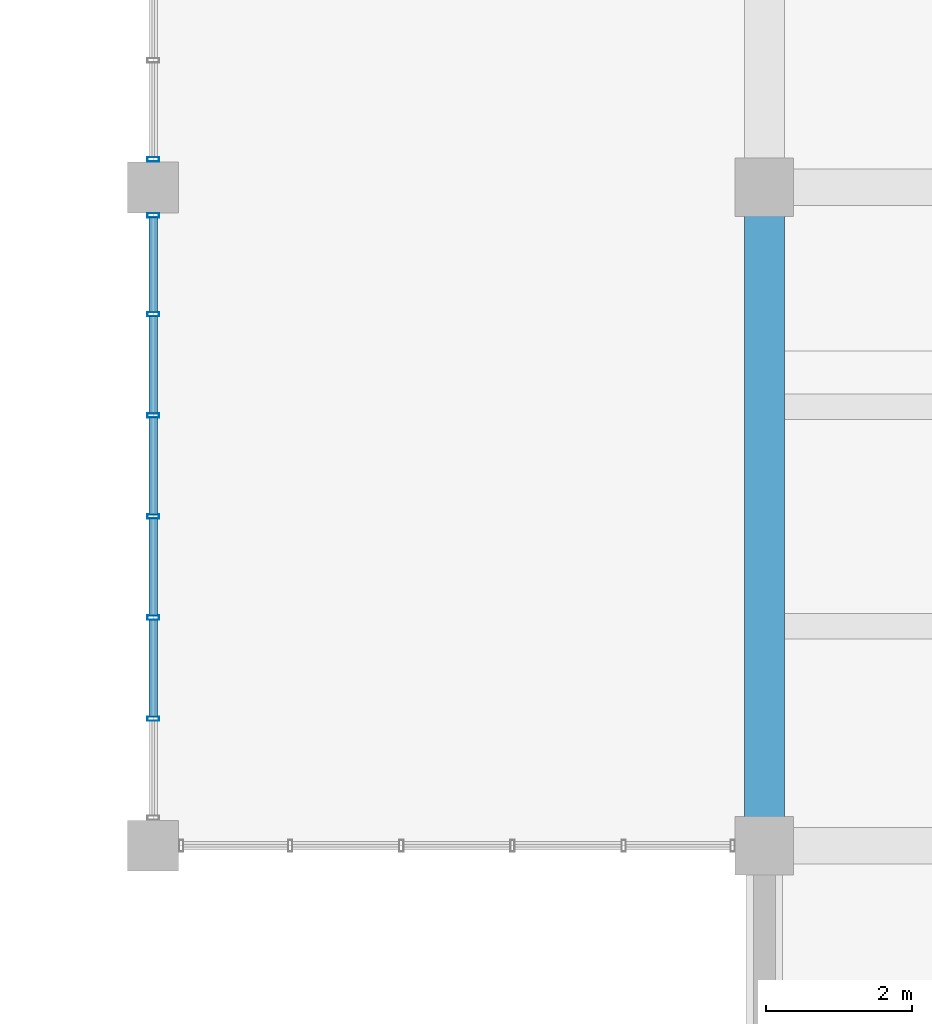
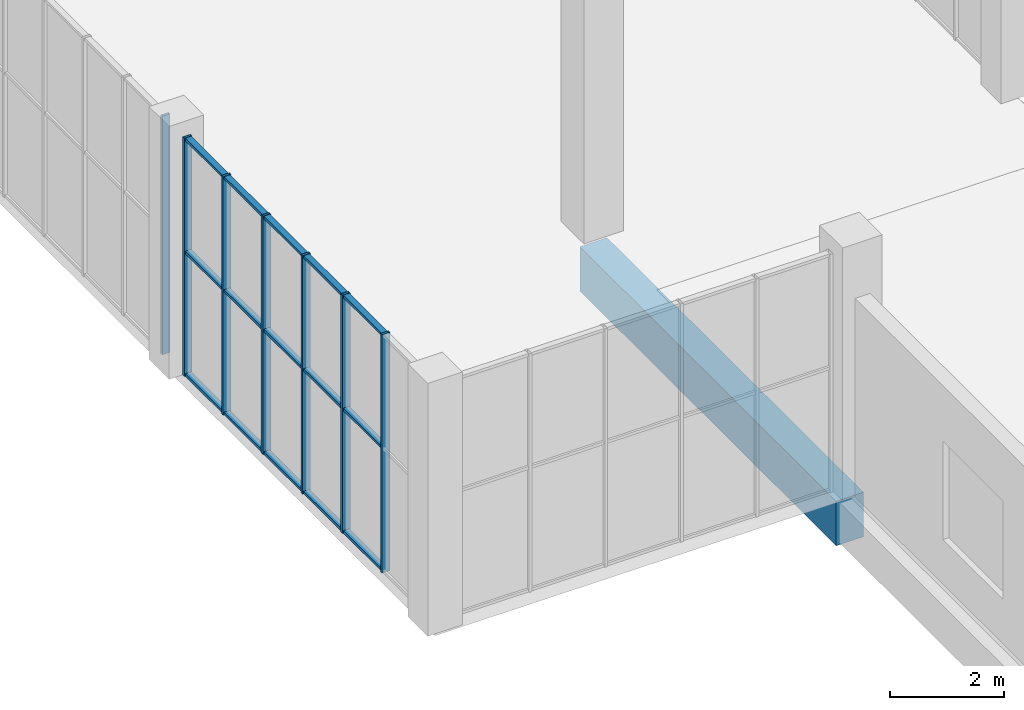
# One storey, part 8 of 91: 22 members, 1 beam, 2 elements without a shape of their own.
"""IFC4 building model written with IfcOpenShell, lengths in metres."""

from ifc_helpers import new_model, si_unit, direction, frame, origin, origin_2d, place, context, subcontext, project, spatial, rectangle, hollow_rectangle, extrude, material, material_profile, profile_set, type_object, element, aggregate, save


model = new_model("IFC4")

# Units and contexts
model_context = context("Model", 3, precision=1e-05, world=origin(), true_north=direction((0.0, 1.0)))
body_context = subcontext(model_context, "Body", "Model", "MODEL_VIEW")
ifc_project = project(units=[si_unit("LENGTHUNIT", "METRE"), si_unit("AREAUNIT", "SQUARE_METRE"), si_unit("VOLUMEUNIT", "CUBIC_METRE"), si_unit("PLANEANGLEUNIT", "RADIAN"), si_unit("MASSUNIT", "GRAM", prefix="KILO")], contexts=[model_context])

# Site, building, storey
site_placement = place(None, origin())
site = spatial("IfcSite", under=ifc_project, at=site_placement, CompositionType="ELEMENT")
building_placement = place(site_placement, origin())
building = spatial("IfcBuilding", under=site, at=building_placement, Name="Khurvash Pelagic Aquarium", CompositionType="ELEMENT")
storey_placement = place(building_placement, origin())
storey = spatial("IfcBuildingStorey", under=building, at=storey_placement, Name="L00", CompositionType="ELEMENT", Elevation=0.0)

# Beam
ifc_material_1 = material(Name="Concrete C40/50", Category="concrete")
ifc_material_profile_1 = material_profile(ifc_material_1, rectangle(XDim=0.550048828125, YDim=0.949951171875, at=origin_2d()), Name="RC550X950")
ifc_profile_set_1 = profile_set([ifc_material_profile_1], Name="Concrete C40/50")
beam_type = type_object("IfcBeamType", Name="BM-02", PredefinedType="BEAM", material=ifc_profile_set_1)
beam_placement = place(storey_placement, frame((25.199951171875, 29.7900390625, -0.794921875), z_axis=(0.0, 1.0, 0.0), x_axis=(-1.0, 0.0, 0.0)))
element("IfcBeam", 1, at=beam_placement, inside=storey, type_object=beam_type, Name="L00 Primary Girder BM-02 00082", PredefinedType="BEAM", context=body_context, shape_type="SweptSolid", body=[
    extrude(rectangle(XDim=0.550048828125, YDim=0.949951171875, at=origin_2d()), origin(), (0.0, 0.0, 1.0), 8.969970703125),
])

# Curtain wall, member
ifc_material_2 = material(Name="Anodised aluminium and low-E laminated glass", Category="aluminium")
curtain_wall_type = type_object("IfcCurtainWallType", Name="CW-05", PredefinedType="USERDEFINED", material=ifc_material_2)
curtain_wall_1_placement = place(storey_placement, origin())
curtain_wall_1 = element("IfcCurtainWall", 2, at=curtain_wall_1_placement, inside=storey, type_object=curtain_wall_type, Name="L00 Facade Unitised Curtain Wall CW-05 0072", ObjectType="UNITISED CURTAIN WALL", PredefinedType="USERDEFINED")
ifc_material_3 = material(Name="Extruded aluminium AW-6063-T6", Category="aluminium")
ifc_material_profile_2 = material_profile(ifc_material_3, hollow_rectangle(XDim=0.06005859375, YDim=0.159912109375, WallThickness=0.00390625, at=origin_2d()), Name="CWM60X160X4")
ifc_profile_set_2 = profile_set([ifc_material_profile_2], Name="Extruded aluminium AW-6063-T6")
member_type_1 = type_object("IfcMemberType", Name="CM-02", PredefinedType="MULLION", material=ifc_profile_set_2)
member_1_placement = place(storey_placement, frame((16.800048828125, 39.18505859375, 0.0), z_axis=(0.0, 0.0, 1.0), x_axis=(0.0, -1.0, 0.0)))
member_1 = element("IfcMember", 3, at=member_1_placement, type_object=member_type_1, Name="CW-05 mullion 7", PredefinedType="MULLION", context=body_context, shape_type="SweptSolid", body=[
    extrude(hollow_rectangle(XDim=0.06005859375, YDim=0.159912109375, WallThickness=0.00390625, at=origin_2d()), origin(), (0.0, 0.0, 1.0), 5.090087890625),
])
aggregate(curtain_wall_1, [member_1])

# Curtain wall, members
curtain_wall_2_placement = place(storey_placement, origin())
curtain_wall_2 = element("IfcCurtainWall", 4, at=curtain_wall_2_placement, inside=storey, type_object=curtain_wall_type, Name="L00 Facade Unitised Curtain Wall CW-05 0073", ObjectType="UNITISED CURTAIN WALL", PredefinedType="USERDEFINED")
member_2_placement = place(storey_placement, frame((16.800048828125, 38.4150390625, 0.0), z_axis=(0.0, 0.0, 1.0), x_axis=(0.0, -1.0, 0.0)))
member_2 = element("IfcMember", 5, at=member_2_placement, type_object=member_type_1, Name="CW-05 mullion 1", PredefinedType="MULLION", context=body_context, shape_type="SweptSolid", body=[
    extrude(hollow_rectangle(XDim=0.06005859375, YDim=0.159912109375, WallThickness=0.00390625, at=origin_2d()), origin(), (0.0, 0.0, 1.0), 5.090087890625),
])
member_3_placement = place(storey_placement, frame((16.800048828125, 37.054931640625, 0.0), z_axis=(0.0, 0.0, 1.0), x_axis=(0.0, -1.0, 0.0)))
member_3 = element("IfcMember", 6, at=member_3_placement, type_object=member_type_1, Name="CW-05 mullion 2", PredefinedType="MULLION", context=body_context, shape_type="SweptSolid", body=[
    extrude(hollow_rectangle(XDim=0.06005859375, YDim=0.159912109375, WallThickness=0.00390625, at=origin_2d()), origin(), (0.0, 0.0, 1.0), 5.090087890625),
])
member_4_placement = place(storey_placement, frame((16.800048828125, 35.6650390625, 0.0), z_axis=(0.0, 0.0, 1.0), x_axis=(0.0, -1.0, 0.0)))
member_4 = element("IfcMember", 7, at=member_4_placement, type_object=member_type_1, Name="CW-05 mullion 3", PredefinedType="MULLION", context=body_context, shape_type="SweptSolid", body=[
    extrude(hollow_rectangle(XDim=0.06005859375, YDim=0.159912109375, WallThickness=0.00390625, at=origin_2d()), origin(), (0.0, 0.0, 1.0), 5.090087890625),
])
member_5_placement = place(storey_placement, frame((16.800048828125, 34.27490234375, 0.0), z_axis=(0.0, 0.0, 1.0), x_axis=(0.0, -1.0, 0.0)))
member_5 = element("IfcMember", 8, at=member_5_placement, type_object=member_type_1, Name="CW-05 mullion 4", PredefinedType="MULLION", context=body_context, shape_type="SweptSolid", body=[
    extrude(hollow_rectangle(XDim=0.06005859375, YDim=0.159912109375, WallThickness=0.00390625, at=origin_2d()), origin(), (0.0, 0.0, 1.0), 5.090087890625),
])
member_6_placement = place(storey_placement, frame((16.800048828125, 32.885009765625, 0.0), z_axis=(0.0, 0.0, 1.0), x_axis=(0.0, -1.0, 0.0)))
member_6 = element("IfcMember", 9, at=member_6_placement, type_object=member_type_1, Name="CW-05 mullion 5", PredefinedType="MULLION", context=body_context, shape_type="SweptSolid", body=[
    extrude(hollow_rectangle(XDim=0.06005859375, YDim=0.159912109375, WallThickness=0.00390625, at=origin_2d()), origin(), (0.0, 0.0, 1.0), 5.090087890625),
])
member_7_placement = place(storey_placement, frame((16.800048828125, 31.4951171875, 0.0), z_axis=(0.0, 0.0, 1.0), x_axis=(0.0, -1.0, 0.0)))
member_7 = element("IfcMember", 10, at=member_7_placement, type_object=member_type_1, Name="CW-05 mullion 6", PredefinedType="MULLION", context=body_context, shape_type="SweptSolid", body=[
    extrude(hollow_rectangle(XDim=0.06005859375, YDim=0.159912109375, WallThickness=0.00390625, at=origin_2d()), origin(), (0.0, 0.0, 1.0), 5.090087890625),
])
ifc_material_profile_3 = material_profile(ifc_material_3, hollow_rectangle(XDim=0.1201171875, YDim=0.06005859375, WallThickness=0.00390625, at=origin_2d()), Name="CWT120X60X4")
ifc_profile_set_3 = profile_set([ifc_material_profile_3], Name="Extruded aluminium AW-6063-T6")
member_type_2 = type_object("IfcMemberType", Name="CT-02", PredefinedType="USERDEFINED", material=ifc_profile_set_3)
member_8_placement = place(storey_placement, frame((16.800048828125, 38.385009765625, 0.030029296875), z_axis=(0.0, -1.0, 0.0), x_axis=(1.0, 0.0, 0.0)))
member_8 = element("IfcMember", 11, at=member_8_placement, type_object=member_type_2, Name="CW-05 transom 1.1", ObjectType="TRANSOM", PredefinedType="USERDEFINED", context=body_context, shape_type="SweptSolid", body=[
    extrude(hollow_rectangle(XDim=0.1201171875, YDim=0.06005859375, WallThickness=0.00390625, at=origin_2d()), origin(), (0.0, 0.0, 1.0), 1.300048828125),
])
member_9_placement = place(storey_placement, frame((16.800048828125, 38.385009765625, 2.64697265625), z_axis=(0.0, -1.0, 0.0), x_axis=(1.0, 0.0, 0.0)))
member_9 = element("IfcMember", 12, at=member_9_placement, type_object=member_type_2, Name="CW-05 transom 1.2", ObjectType="TRANSOM", PredefinedType="USERDEFINED", context=body_context, shape_type="SweptSolid", body=[
    extrude(hollow_rectangle(XDim=0.1201171875, YDim=0.06005859375, WallThickness=0.00390625, at=origin_2d()), origin(), (0.0, 0.0, 1.0), 1.300048828125),
])
member_10_placement = place(storey_placement, frame((16.800048828125, 38.385009765625, 5.06005859375), z_axis=(0.0, -1.0, 0.0), x_axis=(1.0, 0.0, 0.0)))
member_10 = element("IfcMember", 13, at=member_10_placement, type_object=member_type_2, Name="CW-05 transom 1.3", ObjectType="TRANSOM", PredefinedType="USERDEFINED", context=body_context, shape_type="SweptSolid", body=[
    extrude(hollow_rectangle(XDim=0.1201171875, YDim=0.06005859375, WallThickness=0.00390625, at=origin_2d()), origin(), (0.0, 0.0, 1.0), 1.300048828125),
])
member_11_placement = place(storey_placement, frame((16.800048828125, 37.02490234375, 0.030029296875), z_axis=(0.0, -1.0, 0.0), x_axis=(1.0, 0.0, 0.0)))
member_11 = element("IfcMember", 14, at=member_11_placement, type_object=member_type_2, Name="CW-05 transom 2.1", ObjectType="TRANSOM", PredefinedType="USERDEFINED", context=body_context, shape_type="SweptSolid", body=[
    extrude(hollow_rectangle(XDim=0.1201171875, YDim=0.06005859375, WallThickness=0.00390625, at=origin_2d()), origin(), (0.0, 0.0, 1.0), 1.329833984375),
])
member_12_placement = place(storey_placement, frame((16.800048828125, 37.02490234375, 2.64697265625), z_axis=(0.0, -1.0, 0.0), x_axis=(1.0, 0.0, 0.0)))
member_12 = element("IfcMember", 15, at=member_12_placement, type_object=member_type_2, Name="CW-05 transom 2.2", ObjectType="TRANSOM", PredefinedType="USERDEFINED", context=body_context, shape_type="SweptSolid", body=[
    extrude(hollow_rectangle(XDim=0.1201171875, YDim=0.06005859375, WallThickness=0.00390625, at=origin_2d()), origin(), (0.0, 0.0, 1.0), 1.329833984375),
])
member_13_placement = place(storey_placement, frame((16.800048828125, 37.02490234375, 5.06005859375), z_axis=(0.0, -1.0, 0.0), x_axis=(1.0, 0.0, 0.0)))
member_13 = element("IfcMember", 16, at=member_13_placement, type_object=member_type_2, Name="CW-05 transom 2.3", ObjectType="TRANSOM", PredefinedType="USERDEFINED", context=body_context, shape_type="SweptSolid", body=[
    extrude(hollow_rectangle(XDim=0.1201171875, YDim=0.06005859375, WallThickness=0.00390625, at=origin_2d()), origin(), (0.0, 0.0, 1.0), 1.329833984375),
])
member_14_placement = place(storey_placement, frame((16.800048828125, 35.635009765625, 0.030029296875), z_axis=(0.0, -1.0, 0.0), x_axis=(1.0, 0.0, 0.0)))
member_14 = element("IfcMember", 17, at=member_14_placement, type_object=member_type_2, Name="CW-05 transom 3.1", ObjectType="TRANSOM", PredefinedType="USERDEFINED", context=body_context, shape_type="SweptSolid", body=[
    extrude(hollow_rectangle(XDim=0.1201171875, YDim=0.06005859375, WallThickness=0.00390625, at=origin_2d()), origin(), (0.0, 0.0, 1.0), 1.330078125),
])
member_15_placement = place(storey_placement, frame((16.800048828125, 35.635009765625, 2.64697265625), z_axis=(0.0, -1.0, 0.0), x_axis=(1.0, 0.0, 0.0)))
member_15 = element("IfcMember", 18, at=member_15_placement, type_object=member_type_2, Name="CW-05 transom 3.2", ObjectType="TRANSOM", PredefinedType="USERDEFINED", context=body_context, shape_type="SweptSolid", body=[
    extrude(hollow_rectangle(XDim=0.1201171875, YDim=0.06005859375, WallThickness=0.00390625, at=origin_2d()), origin(), (0.0, 0.0, 1.0), 1.330078125),
])
member_16_placement = place(storey_placement, frame((16.800048828125, 35.635009765625, 5.06005859375), z_axis=(0.0, -1.0, 0.0), x_axis=(1.0, 0.0, 0.0)))
member_16 = element("IfcMember", 19, at=member_16_placement, type_object=member_type_2, Name="CW-05 transom 3.3", ObjectType="TRANSOM", PredefinedType="USERDEFINED", context=body_context, shape_type="SweptSolid", body=[
    extrude(hollow_rectangle(XDim=0.1201171875, YDim=0.06005859375, WallThickness=0.00390625, at=origin_2d()), origin(), (0.0, 0.0, 1.0), 1.330078125),
])
member_17_placement = place(storey_placement, frame((16.800048828125, 34.2451171875, 0.030029296875), z_axis=(0.0, -1.0, 0.0), x_axis=(1.0, 0.0, 0.0)))
member_17 = element("IfcMember", 20, at=member_17_placement, type_object=member_type_2, Name="CW-05 transom 4.1", ObjectType="TRANSOM", PredefinedType="USERDEFINED", context=body_context, shape_type="SweptSolid", body=[
    extrude(hollow_rectangle(XDim=0.1201171875, YDim=0.06005859375, WallThickness=0.00390625, at=origin_2d()), origin(), (0.0, 0.0, 1.0), 1.330078125),
])
member_18_placement = place(storey_placement, frame((16.800048828125, 34.2451171875, 2.64697265625), z_axis=(0.0, -1.0, 0.0), x_axis=(1.0, 0.0, 0.0)))
member_18 = element("IfcMember", 21, at=member_18_placement, type_object=member_type_2, Name="CW-05 transom 4.2", ObjectType="TRANSOM", PredefinedType="USERDEFINED", context=body_context, shape_type="SweptSolid", body=[
    extrude(hollow_rectangle(XDim=0.1201171875, YDim=0.06005859375, WallThickness=0.00390625, at=origin_2d()), origin(), (0.0, 0.0, 1.0), 1.330078125),
])
member_19_placement = place(storey_placement, frame((16.800048828125, 34.2451171875, 5.06005859375), z_axis=(0.0, -1.0, 0.0), x_axis=(1.0, 0.0, 0.0)))
member_19 = element("IfcMember", 22, at=member_19_placement, type_object=member_type_2, Name="CW-05 transom 4.3", ObjectType="TRANSOM", PredefinedType="USERDEFINED", context=body_context, shape_type="SweptSolid", body=[
    extrude(hollow_rectangle(XDim=0.1201171875, YDim=0.06005859375, WallThickness=0.00390625, at=origin_2d()), origin(), (0.0, 0.0, 1.0), 1.330078125),
])
member_20_placement = place(storey_placement, frame((16.800048828125, 32.85498046875, 0.030029296875), z_axis=(0.0, -1.0, 0.0), x_axis=(1.0, 0.0, 0.0)))
member_20 = element("IfcMember", 23, at=member_20_placement, type_object=member_type_2, Name="CW-05 transom 5.1", ObjectType="TRANSOM", PredefinedType="USERDEFINED", context=body_context, shape_type="SweptSolid", body=[
    extrude(hollow_rectangle(XDim=0.1201171875, YDim=0.06005859375, WallThickness=0.00390625, at=origin_2d()), origin(), (0.0, 0.0, 1.0), 1.330078125),
])
member_21_placement = place(storey_placement, frame((16.800048828125, 32.85498046875, 2.64697265625), z_axis=(0.0, -1.0, 0.0), x_axis=(1.0, 0.0, 0.0)))
member_21 = element("IfcMember", 24, at=member_21_placement, type_object=member_type_2, Name="CW-05 transom 5.2", ObjectType="TRANSOM", PredefinedType="USERDEFINED", context=body_context, shape_type="SweptSolid", body=[
    extrude(hollow_rectangle(XDim=0.1201171875, YDim=0.06005859375, WallThickness=0.00390625, at=origin_2d()), origin(), (0.0, 0.0, 1.0), 1.330078125),
])
member_22_placement = place(storey_placement, frame((16.800048828125, 32.85498046875, 5.06005859375), z_axis=(0.0, -1.0, 0.0), x_axis=(1.0, 0.0, 0.0)))
member_22 = element("IfcMember", 25, at=member_22_placement, type_object=member_type_2, Name="CW-05 transom 5.3", ObjectType="TRANSOM", PredefinedType="USERDEFINED", context=body_context, shape_type="SweptSolid", body=[
    extrude(hollow_rectangle(XDim=0.1201171875, YDim=0.06005859375, WallThickness=0.00390625, at=origin_2d()), origin(), (0.0, 0.0, 1.0), 1.330078125),
])
aggregate(curtain_wall_2, [member_2, member_3, member_4, member_5, member_6, member_7, member_8, member_9, member_10, member_11, member_12, member_13, member_14, member_15, member_16, member_17, member_18, member_19, member_20, member_21, member_22])

save(model, "model.ifc")
